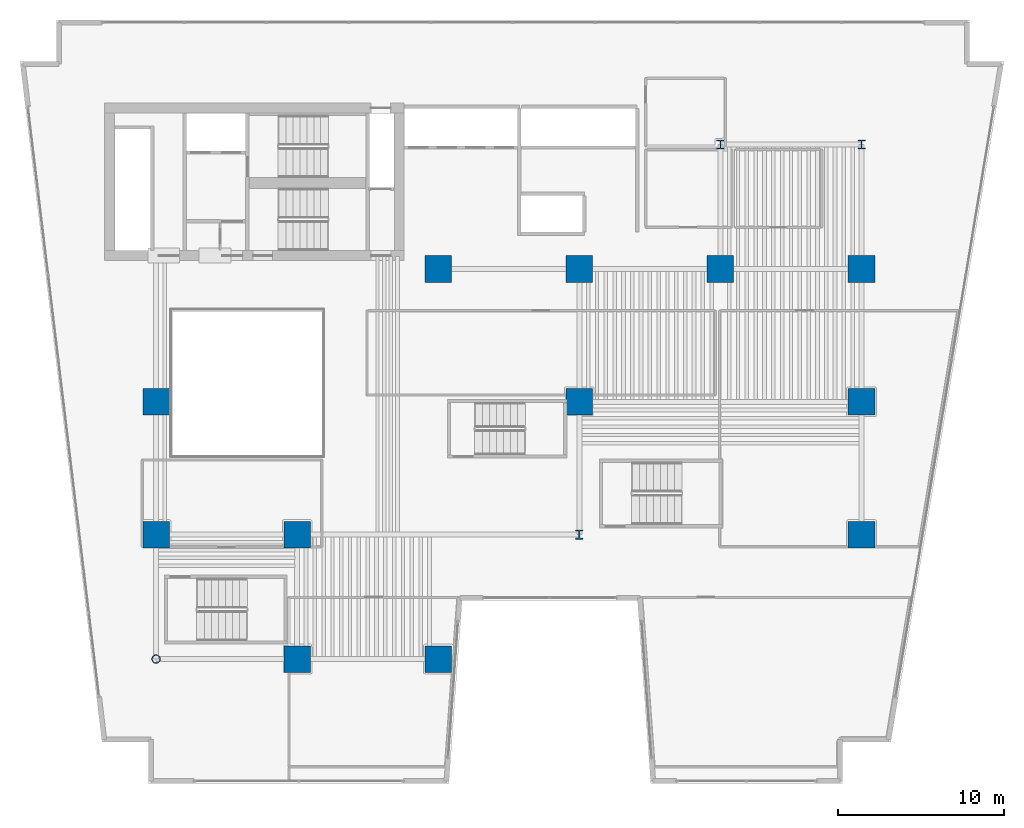
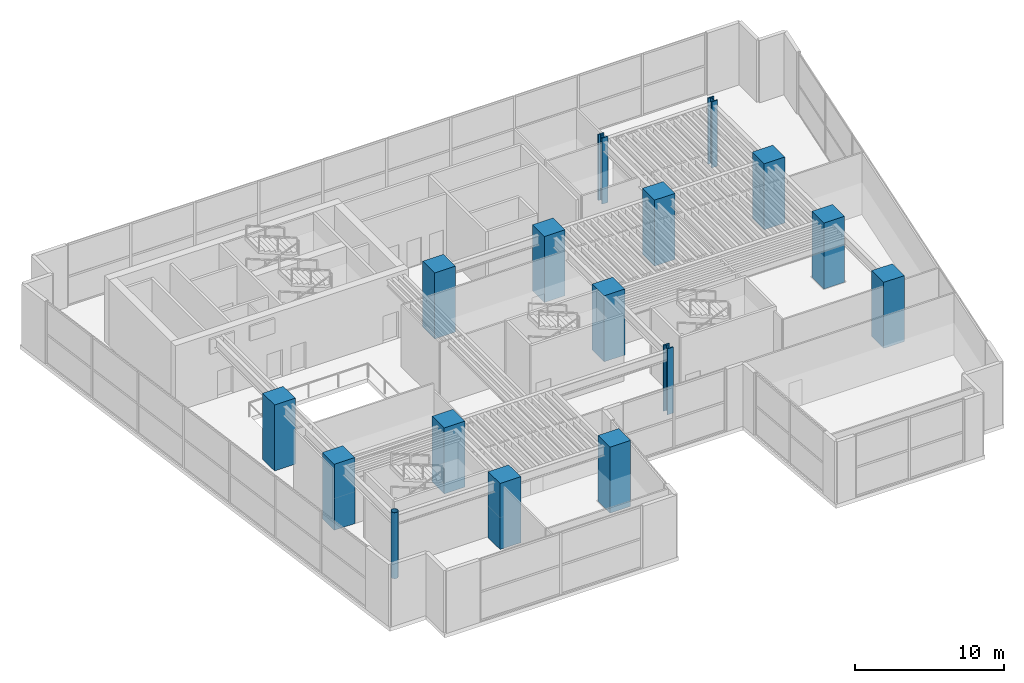
# One storey, part 1 of 16: 16 columns.
"""IFC4 building model written with IfcOpenShell, lengths in metres."""

from ifc_helpers import new_model, si_unit, direction, frame, origin, origin_2d, place, context, subcontext, project, spatial, rectangle, hollow_circle, i_section, extrude, material, material_profile, profile_set, type_object, element, save


model = new_model("IFC4")

# Units and contexts
model_context = context("Model", 3, precision=1e-05, world=origin(), true_north=direction((0.0, 1.0)))
body_context = subcontext(model_context, "Body", "Model", "MODEL_VIEW")
ifc_project = project(units=[si_unit("LENGTHUNIT", "METRE"), si_unit("AREAUNIT", "SQUARE_METRE"), si_unit("VOLUMEUNIT", "CUBIC_METRE"), si_unit("PLANEANGLEUNIT", "RADIAN"), si_unit("MASSUNIT", "GRAM", prefix="KILO")], contexts=[model_context])

# Site, building, storey
site_placement = place(None, origin())
site = spatial("IfcSite", under=ifc_project, at=site_placement, CompositionType="ELEMENT")
building_placement = place(site_placement, origin())
building = spatial("IfcBuilding", under=site, at=building_placement, Name="Caeloran Harvest Quay", CompositionType="ELEMENT")
storey_placement = place(building_placement, frame((0.0, 0.0, 10.800048828125)))
storey = spatial("IfcBuildingStorey", under=building, at=storey_placement, Name="L03", CompositionType="ELEMENT", Elevation=10.800048828125)

# Columns
ifc_material_1 = material(Name="Steel HISTAR 460", Category="steel")
ifc_material_profile_1 = material_profile(ifc_material_1, hollow_circle(Radius=0.25390625, WallThickness=0.02490234375, at=origin_2d()), Name="CHS 508x25")
ifc_profile_set_1 = profile_set([ifc_material_profile_1], Name="Steel HISTAR 460")
column_type_1 = type_object("IfcColumnType", Name="COL-CC-1-CHS_508x25", PredefinedType="COLUMN", material=ifc_profile_set_1)
column_placement = place(storey_placement, frame((8.5, 7.5, 0.0), z_axis=(0.0, 0.0, 1.0), x_axis=(1.0, 0.0, 0.0)))
element("IfcColumn", 1, at=column_placement, inside=storey, type_object=column_type_1, Name="L03 Structural Column (8.5, 7.5)", PredefinedType="COLUMN", context=body_context, shape_type="SweptSolid", body=[
    extrude(hollow_circle(Radius=0.25390625, WallThickness=0.02490234375, at=origin_2d()), origin(), (0.0, 0.0, 1.0), 5.39990234375),
])
ifc_material_2 = material(Name="Concrete C80/95", Category="concrete")
ifc_material_profile_2 = material_profile(ifc_material_2, rectangle(XDim=1.60009765625, YDim=1.60009765625, at=origin_2d()), Name="RC 1600x1600")
ifc_profile_set_2 = profile_set([ifc_material_profile_2], Name="Concrete C80/95")
column_type_2 = type_object("IfcColumnType", Name="COL-MC-1-RC_1600x1600", PredefinedType="COLUMN", material=ifc_profile_set_2)
for number, where, z_axis, x_axis, name in (
    (2, (8.5, 15.0, 0.0), (0.0, 0.0, 1.0), (1.0, 0.0, 0.0), "L03 Structural Column (8.5, 15.0)"),
    (3, (8.5, 23.0, 0.0), (0.0, 0.0, 1.0), (1.0, 0.0, 0.0), "L03 Structural Column (8.5, 23.0)"),
    (4, (17.0, 7.5, 0.0), (0.0, 0.0, 1.0), (1.0, 0.0, 0.0), "L03 Structural Column (17.0, 7.5)"),
    (5, (17.0, 15.0, 0.0), (0.0, 0.0, 1.0), (1.0, 0.0, 0.0), "L03 Structural Column (17.0, 15.0)"),
    (6, (25.5, 7.5, 0.0), (0.0, 0.0, 1.0), (1.0, 0.0, 0.0), "L03 Structural Column (25.5, 7.5)"),
    (7, (25.5, 31.0, 0.0), (0.0, 0.0, 1.0), (1.0, 0.0, 0.0), "L03 Structural Column (25.5, 31.0)"),
    (8, (34.0, 23.0, 0.0), (0.0, 0.0, 1.0), (1.0, 0.0, 0.0), "L03 Structural Column (34.0, 23.0)"),
    (9, (34.0, 31.0, 0.0), (0.0, 0.0, 1.0), (1.0, 0.0, 0.0), "L03 Structural Column (34.0, 31.0)"),
    (10, (42.5, 31.0, 0.0), (0.0, 0.0, 1.0), (1.0, 0.0, 0.0), "L03 Structural Column (42.5, 31.0)"),
    (11, (51.0, 15.0, 0.0), (0.0, 0.0, 1.0), (1.0, 0.0, 0.0), "L03 Structural Column (51.0, 15.0)"),
    (12, (51.0, 23.0, 0.0), (0.0, 0.0, 1.0), (1.0, 0.0, 0.0), "L03 Structural Column (51.0, 23.0)"),
    (13, (51.0, 31.0, 0.0), (0.0, 0.0, 1.0), (1.0, 0.0, 0.0), "L03 Structural Column (51.0, 31.0)"),
):
    element("IfcColumn", number, at=place(storey_placement, frame(where, z_axis=z_axis, x_axis=x_axis)), inside=storey, type_object=column_type_2, Name=name, PredefinedType="COLUMN", context=body_context, shape_type="SweptSolid", body=[
        extrude(rectangle(XDim=1.60009765625, YDim=1.60009765625, at=origin_2d()), origin(), (0.0, 0.0, 1.0), 5.39990234375),
    ])
ifc_material_profile_3 = material_profile(ifc_material_1, i_section(OverallWidth=0.4541015625, OverallDepth=0.569091796875, WebThickness=0.077880859375, FlangeThickness=0.080078125, FilletRadius=0.014892578125, at=origin_2d()), Name="HD 400x1086")
ifc_profile_set_3 = profile_set([ifc_material_profile_3], Name="Steel HISTAR 460")
column_type_3 = type_object("IfcColumnType", Name="COL-SC-1-HD_400x1086", PredefinedType="COLUMN", material=ifc_profile_set_3)
for number, where, z_axis, x_axis, name in (
    (14, (34.0, 15.0, 0.0), (0.0, 0.0, 1.0), (1.0, 0.0, 0.0), "L03 Structural Column (34.0, 15.0)"),
    (15, (42.5, 38.5, 0.0), (0.0, 0.0, 1.0), (1.0, 0.0, 0.0), "L03 Structural Column (42.5, 38.5)"),
    (16, (51.0, 38.5, 0.0), (0.0, 0.0, 1.0), (1.0, 0.0, 0.0), "L03 Structural Column (51.0, 38.5)"),
):
    element("IfcColumn", number, at=place(storey_placement, frame(where, z_axis=z_axis, x_axis=x_axis)), inside=storey, type_object=column_type_3, Name=name, PredefinedType="COLUMN", context=body_context, shape_type="SweptSolid", body=[
        extrude(i_section(OverallWidth=0.4541015625, OverallDepth=0.569091796875, WebThickness=0.077880859375, FlangeThickness=0.080078125, FilletRadius=0.014892578125, at=origin_2d()), origin(), (0.0, 0.0, 1.0), 5.39990234375),
    ])

save(model, "model.ifc")
